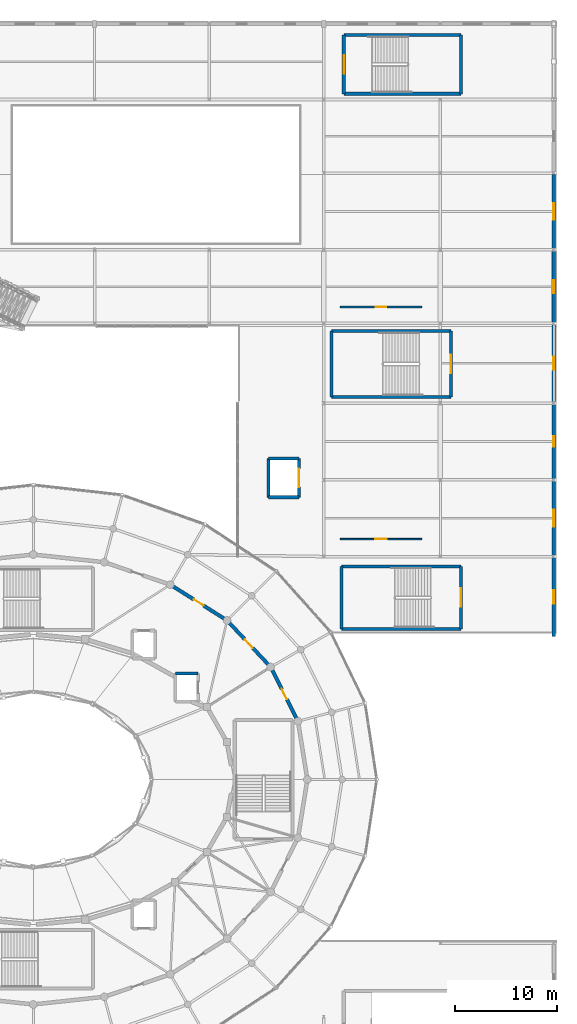
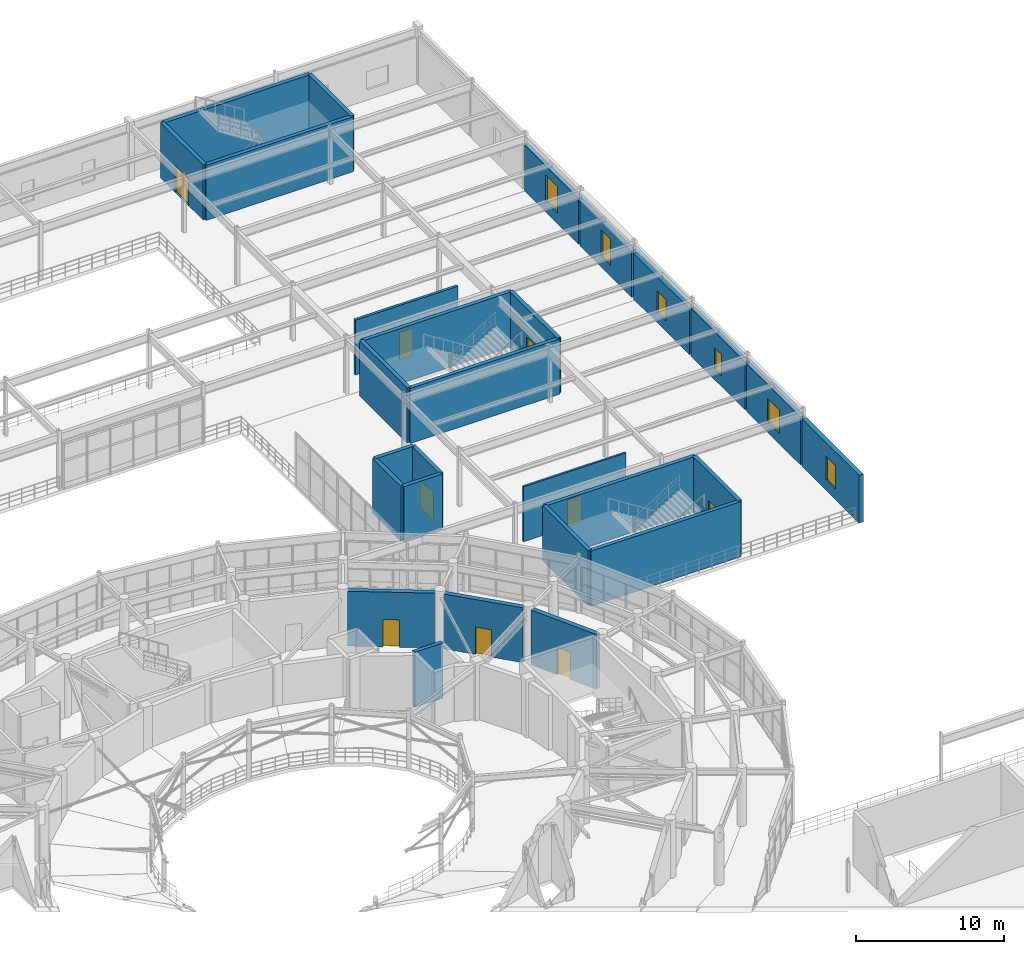
# One storey, part 112 of 144: 28 walls, 9 doors, 6 windows, 15 openings.
"""IFC4 building model written with IfcOpenShell, lengths in metres."""

import ifcopenshell
import ifcopenshell.guid

model = None  # the IFC model being written
_history = None  # IfcOwnerHistory: only IFC2X3 demands one
_inside = {}  # id of a spatial element -> (the spatial element, [elements in it])
_under = {}  # id of a project, library or spatial element -> (it, [spatial elements below it])
_declared = {}  # id of a project -> (the project, [libraries it declares])
_typed = {}  # id of a type object -> (the type object, [elements of that type])
_made_of = {}  # id of a material, layer set ... -> (it, [elements and type objects made of it])


def new_model(schema):
    """Start an empty IFC model of exactly this schema.

    Asked for "IFC4X3", IfcOpenShell would pick the latest addendum, in which some entities
    have other attributes; the version numbers below select the first issue.
    IFC2X3 requires an IfcOwnerHistory on every rooted entity: one is made here for all.
    """
    global model, _history
    if schema == "IFC4X3":
        model = ifcopenshell.file(schema_version=(4, 3, 0, 0))
    else:
        model = ifcopenshell.file(schema=schema)
    _inside.clear()
    _under.clear()
    _declared.clear()
    _typed.clear()
    _made_of.clear()
    _history = None
    if model.schema == "IFC2X3":
        org = make("IfcOrganization", Name="unknown")
        user = make(
            "IfcPersonAndOrganization",
            ThePerson=make("IfcPerson", FamilyName="unknown"),
            TheOrganization=org,
        )
        app = make(
            "IfcApplication",
            ApplicationDeveloper=org,
            Version="unknown",
            ApplicationFullName="unknown",
            ApplicationIdentifier="unknown",
        )
        _history = make(
            "IfcOwnerHistory",
            OwningUser=user,
            OwningApplication=app,
            ChangeAction="ADDED",
            CreationDate=0,
        )
    return model


def make(cls, **values):
    """One entity of the class cls with the attributes given. An attribute that is None is left unset."""
    return model.create_entity(
        cls, **{name: value for name, value in values.items() if value is not None}
    )


def rooted(cls, **values):
    """An entity with a GlobalId (a new one), such as an element, a storey or a relation."""
    return make(cls, GlobalId=ifcopenshell.guid.new(), OwnerHistory=_history, **values)


def si_unit(unit_type, name, prefix=None):
    """IfcSIUnit, for example si_unit("LENGTHUNIT", "METRE", prefix="MILLI")."""
    return make("IfcSIUnit", UnitType=unit_type, Prefix=prefix, Name=name)


def assignment(units):
    """IfcUnitAssignment: the units of a project."""
    return None if units is None else make("IfcUnitAssignment", Units=units)


def point(xyz):
    """IfcCartesianPoint."""
    return None if xyz is None else make("IfcCartesianPoint", Coordinates=xyz)


def direction(xyz):
    """IfcDirection."""
    return None if xyz is None else make("IfcDirection", DirectionRatios=xyz)


def frame(location, z_axis=None, x_axis=None):
    """IfcAxis2Placement3D, a coordinate frame: its origin and axes. An axis left out is left unset."""
    return make(
        "IfcAxis2Placement3D",
        Location=point(location),
        Axis=direction(z_axis),
        RefDirection=direction(x_axis),
    )


def frame_2d(location, x_axis=None):
    """IfcAxis2Placement2D, a coordinate frame in the plane: its origin and x axis."""
    return make(
        "IfcAxis2Placement2D", Location=point(location), RefDirection=direction(x_axis)
    )


def origin():
    """The frame at (0, 0, 0) with its axes left unset."""
    return frame((0.0, 0.0, 0.0))


def place(relative_to, where):
    """IfcLocalPlacement: puts the frame where relative to a parent placement (None: the world)."""
    return make(
        "IfcLocalPlacement", PlacementRelTo=relative_to, RelativePlacement=where
    )


def context(
    kind, dimensions, precision=None, world=None, true_north=None, identifier=None
):
    """IfcGeometricRepresentationContext, for example the 3D "Model" context."""
    return make(
        "IfcGeometricRepresentationContext",
        ContextIdentifier=identifier,
        ContextType=kind,
        CoordinateSpaceDimension=dimensions,
        Precision=precision,
        WorldCoordinateSystem=world,
        TrueNorth=true_north,
    )


def subcontext(parent, identifier, kind, view, scale=None):
    """IfcGeometricRepresentationSubContext, for example "Body" below "Model"."""
    return make(
        "IfcGeometricRepresentationSubContext",
        ContextIdentifier=identifier,
        ContextType=kind,
        ParentContext=parent,
        TargetScale=scale,
        TargetView=view,
    )


def project(units=None, contexts=None):
    """IfcProject with its units and contexts."""
    return rooted(
        "IfcProject",
        Name="project",
        RepresentationContexts=contexts,
        UnitsInContext=assignment(units),
    )


def spatial(cls, under=None, at=None, **own):
    """A site, building, storey or space (cls), placed at a placement, below another one or the project."""
    s = rooted(cls, ObjectPlacement=at, **own)
    if under is not None:
        _under.setdefault(under.id(), (under, []))[1].append(s)
    return s


def profile(cls, at=None, kind="AREA", **sizes):
    """A parametric profile (cls). Its sizes go by their IFC names, for example OverallWidth=200.0."""
    return make(cls, ProfileType=kind, Position=at, **sizes)


def rectangle(**sizes):
    """IfcRectangleProfileDef."""
    return profile("IfcRectangleProfileDef", **sizes)


def extrude(swept, where, along, depth):
    """IfcExtrudedAreaSolid: the profile swept, set in the frame where, extruded along a direction by depth."""
    return make(
        "IfcExtrudedAreaSolid",
        SweptArea=swept,
        Position=where,
        ExtrudedDirection=direction(along),
        Depth=depth,
    )


def shape(context_of_items, identifier, shape_type, items):
    """IfcShapeRepresentation: the items that make up one representation, for example the "Body"."""
    return make(
        "IfcShapeRepresentation",
        ContextOfItems=context_of_items,
        RepresentationIdentifier=identifier,
        RepresentationType=shape_type,
        Items=items,
    )


def material(Name=None, Category=None):
    """IfcMaterial."""
    return make("IfcMaterial", Name=Name, Category=Category)


def layer(
    of_material, thickness, ventilated=None, Name=None, Category=None, Priority=None
):
    """IfcMaterialLayer: one layer of a wall or slab, of a material (None: an air gap)."""
    return make(
        "IfcMaterialLayer",
        Material=of_material,
        LayerThickness=thickness,
        IsVentilated=ventilated,
        Name=Name,
        Category=Category,
        Priority=Priority,
    )


def layer_set(layers, Name=None):
    """IfcMaterialLayerSet."""
    return make("IfcMaterialLayerSet", MaterialLayers=layers, LayerSetName=Name)


def made_of(thing, what):
    """Note that an element or type object is made of a material, layer set ...; save() writes the relation."""
    if what is not None:
        _made_of.setdefault(what.id(), (what, []))[1].append(thing)
    return thing


def type_object(cls, material=None, **own):
    """A type object (cls), such as IfcWallType, which elements share."""
    return made_of(rooted(cls, **own), material)


def element(
    cls,
    number,
    at=None,
    inside=None,
    cuts=None,
    type_object=None,
    material=None,
    context=None,
    identifier="Body",
    shape_type=None,
    held_by="IfcProductDefinitionShape",
    body=None,
    shapes=None,
    **own,
):
    """One element of the class cls, such as IfcWall. Its Tag is "e" and its number.

    at: its placement. inside: the storey or other place that contains it. cuts: it is an
    opening in that element (IfcRelVoidsElement). A single representation is given by context,
    identifier, shape_type and body (its items); several are given by shapes. held_by: the class
    of the entity that holds the representations. save() writes the other relations.
    """
    e = rooted(cls, Tag="e%d" % number, ObjectPlacement=at, **own)
    if body is not None:
        shapes = [shape(context, identifier, shape_type, body)]
    if shapes is not None:
        e.Representation = make(held_by, Representations=shapes)
    if inside is not None:
        _inside.setdefault(inside.id(), (inside, []))[1].append(e)
    if cuts is not None:
        rooted(
            "IfcRelVoidsElement", RelatingBuildingElement=cuts, RelatedOpeningElement=e
        )
    if type_object is not None:
        _typed.setdefault(type_object.id(), (type_object, []))[1].append(e)
    return made_of(e, material)


def fill(opening, filler):
    """IfcRelFillsElement: the door or window that sits in an opening."""
    return rooted(
        "IfcRelFillsElement",
        RelatingOpeningElement=opening,
        RelatedBuildingElement=filler,
    )


def aggregate(whole, parts):
    """IfcRelAggregates: a whole, such as a stair, and the parts it consists of."""
    return rooted("IfcRelAggregates", RelatingObject=whole, RelatedObjects=parts)


def save(model, path):
    """Write the relations noted so far, then the file.

    IfcRelAggregates (storeys below a building ...), IfcRelContainedInSpatialStructure (elements
    in a storey), IfcRelDefinesByType, IfcRelAssociatesMaterial and IfcRelDeclares: one each for
    every whole, place, type object, material and project.
    """
    for whole, parts in _under.values():
        aggregate(whole, parts)
    for where, things in _inside.values():
        rooted(
            "IfcRelContainedInSpatialStructure",
            RelatedElements=things,
            RelatingStructure=where,
        )
    for kind, things in _typed.values():
        rooted("IfcRelDefinesByType", RelatedObjects=things, RelatingType=kind)
    for what, things in _made_of.values():
        rooted("IfcRelAssociatesMaterial", RelatedObjects=things, RelatingMaterial=what)
    for by, libraries in _declared.values():
        rooted("IfcRelDeclares", RelatingContext=by, RelatedDefinitions=libraries)
    model.write(path)


model = new_model("IFC4")

# Units and contexts
model_context = context("Model", 3, precision=1e-05, world=origin(), true_north=direction((0.0, 1.0)))
body_context = subcontext(model_context, "Body", "Model", "MODEL_VIEW")
ifc_project = project(units=[si_unit("LENGTHUNIT", "METRE"), si_unit("AREAUNIT", "SQUARE_METRE"), si_unit("VOLUMEUNIT", "CUBIC_METRE"), si_unit("PLANEANGLEUNIT", "RADIAN"), si_unit("MASSUNIT", "GRAM", prefix="KILO")], contexts=[model_context])

# Site, building, storey
site_placement = place(None, origin())
site = spatial("IfcSite", under=ifc_project, at=site_placement, CompositionType="ELEMENT")
building_placement = place(site_placement, origin())
building = spatial("IfcBuilding", under=site, at=building_placement, Name="Cinderbank Siding Concert Hall", CompositionType="ELEMENT")
storey_placement = place(building_placement, frame((0.0, 0.0, 5.39990234375)))
storey = spatial("IfcBuildingStorey", under=building, at=storey_placement, Name="L02", CompositionType="ELEMENT", Elevation=5.39990234375)

# Wall, opening, door
ifc_material_1 = material(Name="Reinforced concrete AS 3600 N50 (50 MPa)", Category="concrete")
ifc_layer_1 = layer(ifc_material_1, 0.35009765625)
ifc_layer_set_1 = layer_set([ifc_layer_1], Name="Reinforced concrete AS 3600 N50 (50 MPa)")
wall_type_1 = type_object("IfcWallType", Name="WL-02 Structural Wall 350mm", PredefinedType="SHEAR", material=ifc_layer_set_1)
wall_1_placement = place(storey_placement, frame((147.747314453125, 49.970703125, 0.0), z_axis=(0.0, 0.0, 1.0), x_axis=(-0.450512686904, 0.892770025784, 0.0)))
wall_1 = element("IfcWall", 1, at=wall_1_placement, inside=storey, type_object=wall_type_1, Name="L02 Structural Wall SW-E2-L02-02", PredefinedType="SHEAR", context=body_context, shape_type="SweptSolid", body=[
    extrude(rectangle(XDim=5.3232421875, YDim=0.35009765625, at=frame_2d((2.66162109375, 0.0))), origin(), (0.0, 0.0, 1.0), 4.52001953125),
])
opening_1_placement = place(wall_1_placement, frame((2.1015625, 0.0, 0.0)))
opening_1 = element("IfcOpeningElement", 2, at=opening_1_placement, cuts=wall_1, Name="Opening D-19", PredefinedType="OPENING", context=body_context, shape_type="SweptSolid", body=[
    extrude(rectangle(XDim=1.1201171875, YDim=2.260009765625, at=frame_2d((0.56005859375, 1.1298828125))), frame((0.0, 0.18701171875, 0.0), z_axis=(0.0, -1.0, 0.0), x_axis=(1.0, 0.0, 0.0)), (0.0, 0.0, 1.0), 0.3740234375),
])
ifc_material_2 = material(Name="Solid-core spotted gum acoustic timber", Category="wood")
door_type_1 = type_object("IfcDoorType", Name="D-19 Interior Door 1120x2260", OperationType="NOTDEFINED", PredefinedType="DOOR", material=ifc_material_2)
door_1_placement = place(opening_1_placement, origin())
door_1 = element("IfcDoor", 3, at=door_1_placement, inside=storey, type_object=door_type_1, Name="L02 Auditorium Sound-Lock Door L02-D132", OperationType="SINGLE_SWING_LEFT", OverallHeight=2.260009765625, OverallWidth=1.1201171875, PredefinedType="DOOR", context=body_context, shape_type="SweptSolid", body=[
    extrude(rectangle(XDim=1.1201171875, YDim=2.260009765625, at=frame_2d((0.56005859375, 1.1298828125))), frame((0.0, 0.02490234375, 0.0), z_axis=(0.0, -1.0, 0.0), x_axis=(1.0, 0.0, 0.0)), (0.0, 0.0, 1.0), 0.050048828125),
])
fill(opening_1, door_1)

wall_2_placement = place(storey_placement, frame((144.997802734375, 55.2265625, 0.0), z_axis=(0.0, 0.0, 1.0), x_axis=(-0.682886399388, 0.730524582427, 0.0)))
wall_2 = element("IfcWall", 4, at=wall_2_placement, inside=storey, type_object=wall_type_1, Name="L02 Structural Wall SW-E2-L02-03", PredefinedType="SHEAR", context=body_context, shape_type="SweptSolid", body=[
    extrude(rectangle(XDim=5.616943359375, YDim=0.35009765625, at=frame_2d((2.80859375, 0.0))), origin(), (0.0, 0.0, 1.0), 4.52001953125),
])
opening_2_placement = place(wall_2_placement, frame((2.248291015625, 0.0, 0.0)))
opening_2 = element("IfcOpeningElement", 5, at=opening_2_placement, cuts=wall_2, Name="Opening D-19", PredefinedType="OPENING", context=body_context, shape_type="SweptSolid", body=[
    extrude(rectangle(XDim=1.1201171875, YDim=2.260009765625, at=frame_2d((0.56005859375, 1.1298828125))), frame((0.0, 0.18701171875, 0.0), z_axis=(0.0, -1.0, 0.0), x_axis=(1.0, 0.0, 0.0)), (0.0, 0.0, 1.0), 0.3740234375),
])
door_2_placement = place(opening_2_placement, origin())
door_2 = element("IfcDoor", 6, at=door_2_placement, inside=storey, type_object=door_type_1, Name="L02 Auditorium Sound-Lock Door L02-D133", OperationType="SINGLE_SWING_RIGHT", OverallHeight=2.260009765625, OverallWidth=1.1201171875, PredefinedType="DOOR", context=body_context, shape_type="SweptSolid", body=[
    extrude(rectangle(XDim=1.1201171875, YDim=2.260009765625, at=frame_2d((0.56005859375, 1.1298828125))), frame((0.0, 0.02490234375, 0.0), z_axis=(0.0, -1.0, 0.0), x_axis=(1.0, 0.0, 0.0)), (0.0, 0.0, 1.0), 0.050048828125),
])
fill(opening_2, door_2)

wall_3_placement = place(storey_placement, frame((140.688232421875, 59.721435546875, 0.0), z_axis=(0.0, 0.0, 1.0), x_axis=(-0.846113390603, 0.53300293643, 0.0)))
wall_3 = element("IfcWall", 7, at=wall_3_placement, inside=storey, type_object=wall_type_1, Name="L02 Structural Wall SW-E2-L02-04", PredefinedType="SHEAR", context=body_context, shape_type="SweptSolid", body=[
    extrude(rectangle(XDim=5.93994140625, YDim=0.35009765625, at=frame_2d((2.969970703125, 0.0))), origin(), (0.0, 0.0, 1.0), 4.52001953125),
])
opening_3_placement = place(wall_3_placement, frame((2.409912109375, 0.0, 0.0)))
opening_3 = element("IfcOpeningElement", 8, at=opening_3_placement, cuts=wall_3, Name="Opening D-19", PredefinedType="OPENING", context=body_context, shape_type="SweptSolid", body=[
    extrude(rectangle(XDim=1.1201171875, YDim=2.260009765625, at=frame_2d((0.56005859375, 1.1298828125))), frame((0.0, 0.18701171875, 0.0), z_axis=(0.0, -1.0, 0.0), x_axis=(1.0, 0.0, 0.0)), (0.0, 0.0, 1.0), 0.3740234375),
])
door_3_placement = place(opening_3_placement, origin())
door_3 = element("IfcDoor", 9, at=door_3_placement, inside=storey, type_object=door_type_1, Name="L02 Auditorium Sound-Lock Door L02-D134", OperationType="SINGLE_SWING_LEFT", OverallHeight=2.260009765625, OverallWidth=1.1201171875, PredefinedType="DOOR", context=body_context, shape_type="SweptSolid", body=[
    extrude(rectangle(XDim=1.1201171875, YDim=2.260009765625, at=frame_2d((0.56005859375, 1.1298828125))), frame((0.0, 0.02490234375, 0.0), z_axis=(0.0, -1.0, 0.0), x_axis=(1.0, 0.0, 0.0)), (0.0, 0.0, 1.0), 0.050048828125),
])
fill(opening_3, door_3)

ifc_layer_2 = layer(ifc_material_1, 0.300048828125)
ifc_layer_set_2 = layer_set([ifc_layer_2], Name="Reinforced concrete AS 3600 N50 (50 MPa)")
wall_type_2 = type_object("IfcWallType", Name="WL-03 Structural Wall 300mm", PredefinedType="SHEAR", material=ifc_layer_set_2)
wall_4_placement = place(storey_placement, frame((152.360107421875, 111.06005859375, 0.0), z_axis=(0.0, 0.0, 1.0), x_axis=(0.0, 1.0, 0.0)))
wall_4 = element("IfcWall", 10, at=wall_4_placement, inside=storey, type_object=wall_type_2, Name="L02 ST-07 Core Wall ENTRY", PredefinedType="SHEAR", context=body_context, shape_type="SweptSolid", body=[
    extrude(rectangle(XDim=5.739990234375, YDim=0.300048828125, at=frame_2d((2.8701171875, 0.0))), origin(), (0.0, 0.0, 1.0), 4.5400390625),
])
opening_4_placement = place(wall_4_placement, frame((1.969970703125, 0.0, 0.0)))
opening_4 = element("IfcOpeningElement", 11, at=opening_4_placement, cuts=wall_4, Name="Opening D-05", PredefinedType="OPENING", context=body_context, shape_type="SweptSolid", body=[
    extrude(rectangle(XDim=1.800048828125, YDim=2.199951171875, at=frame_2d((0.89990234375, 1.10009765625))), frame((0.0, 0.162109375, 0.0), z_axis=(0.0, -1.0, 0.0), x_axis=(1.0, 0.0, 0.0)), (0.0, 0.0, 1.0), 0.323974609375),
])
ifc_material_3 = material(Name="Galvanised sheet steel acoustic fire door assembly", Category="steel")
door_type_2 = type_object("IfcDoorType", Name="D-05 Interior Door 1800x2200", OperationType="DOUBLE_DOOR_SINGLE_SWING", PredefinedType="DOOR", material=ifc_material_3)
door_4_placement = place(opening_4_placement, origin())
door_4 = element("IfcDoor", 12, at=door_4_placement, inside=storey, type_object=door_type_2, Name="L02 ST-07 Fire Stair Door L02-D041", OperationType="DOUBLE_DOOR_SINGLE_SWING", OverallHeight=2.199951171875, OverallWidth=1.800048828125, PredefinedType="DOOR", context=body_context, shape_type="SweptSolid", body=[
    extrude(rectangle(XDim=1.800048828125, YDim=2.199951171875, at=frame_2d((0.89990234375, 1.10009765625))), frame((0.0, 0.02490234375, 0.0), z_axis=(0.0, -1.0, 0.0), x_axis=(1.0, 0.0, 0.0)), (0.0, 0.0, 1.0), 0.050048828125),
])
fill(opening_4, door_4)

# Walls
wall_5_placement = place(storey_placement, frame((163.840087890625, 116.800048828125, 0.0), z_axis=(0.0, 0.0, 1.0), x_axis=(0.0, -1.0, 0.0)))
element("IfcWall", 13, at=wall_5_placement, inside=storey, type_object=wall_type_2, Name="L02 ST-07 Core Wall FAR", PredefinedType="SHEAR", context=body_context, shape_type="SweptSolid", body=[
    extrude(rectangle(XDim=5.739990234375, YDim=0.300048828125, at=frame_2d((2.8701171875, 0.0))), origin(), (0.0, 0.0, 1.0), 4.5400390625),
])
for number, where, z_axis, x_axis, name in (
    (14, (163.840087890625, 111.06005859375, 0.0), (0.0, 0.0, 1.0), (-1.0, 0.0, 0.0), "L02 ST-07 Core Wall SIDE1"),
    (15, (152.360107421875, 116.800048828125, 0.0), (0.0, 0.0, 1.0), (1.0, 0.0, 0.0), "L02 ST-07 Core Wall SIDE2"),
):
    element("IfcWall", number, at=place(storey_placement, frame(where, z_axis=z_axis, x_axis=x_axis)), inside=storey, type_object=wall_type_2, Name=name, PredefinedType="SHEAR", context=body_context, shape_type="SweptSolid", body=[
        extrude(rectangle(XDim=11.47998046875, YDim=0.300048828125, at=frame_2d((5.739990234375, 0.0))), origin(), (0.0, 0.0, 1.0), 4.5400390625),
    ])

# Wall, opening, door
wall_6_placement = place(storey_placement, frame((162.840087890625, 87.85009765625, 0.0), z_axis=(0.0, 0.0, 1.0), x_axis=(0.0, -1.0, 0.0)))
wall_6 = element("IfcWall", 16, at=wall_6_placement, inside=storey, type_object=wall_type_2, Name="L02 ST-11 Core Wall ENTRY", PredefinedType="SHEAR", context=body_context, shape_type="SweptSolid", body=[
    extrude(rectangle(XDim=6.440185546875, YDim=0.300048828125, at=frame_2d((3.22021484375, 0.0))), origin(), (0.0, 0.0, 1.0), 4.550048828125),
])
opening_5_placement = place(wall_6_placement, frame((2.320068359375, 0.0, 0.0)))
opening_5 = element("IfcOpeningElement", 17, at=opening_5_placement, cuts=wall_6, Name="Opening D-05", PredefinedType="OPENING", context=body_context, shape_type="SweptSolid", body=[
    extrude(rectangle(XDim=1.800048828125, YDim=2.199951171875, at=frame_2d((0.89990234375, 1.10009765625))), frame((0.0, 0.162109375, 0.0), z_axis=(0.0, -1.0, 0.0), x_axis=(1.0, 0.0, 0.0)), (0.0, 0.0, 1.0), 0.323974609375),
])
door_5_placement = place(opening_5_placement, origin())
door_5 = element("IfcDoor", 18, at=door_5_placement, inside=storey, type_object=door_type_2, Name="L02 ST-11 Fire Stair Door L02-D056", OperationType="DOUBLE_DOOR_SINGLE_SWING", OverallHeight=2.199951171875, OverallWidth=1.800048828125, PredefinedType="DOOR", context=body_context, shape_type="SweptSolid", body=[
    extrude(rectangle(XDim=1.800048828125, YDim=2.199951171875, at=frame_2d((0.89990234375, 1.10009765625))), frame((0.0, 0.02490234375, 0.0), z_axis=(0.0, -1.0, 0.0), x_axis=(1.0, 0.0, 0.0)), (0.0, 0.0, 1.0), 0.050048828125),
])
fill(opening_5, door_5)

# Walls
wall_7_placement = place(storey_placement, frame((151.159912109375, 81.409912109375, 0.0), z_axis=(0.0, 0.0, 1.0), x_axis=(0.0, 1.0, 0.0)))
element("IfcWall", 19, at=wall_7_placement, inside=storey, type_object=wall_type_2, Name="L02 ST-11 Core Wall FAR", PredefinedType="SHEAR", context=body_context, shape_type="SweptSolid", body=[
    extrude(rectangle(XDim=6.440185546875, YDim=0.300048828125, at=frame_2d((3.22021484375, 0.0))), origin(), (0.0, 0.0, 1.0), 4.550048828125),
])
for number, where, z_axis, x_axis, name in (
    (20, (151.159912109375, 87.85009765625, 0.0), (0.0, 0.0, 1.0), (1.0, 0.0, 0.0), "L02 ST-11 Core Wall SIDE1"),
    (21, (162.840087890625, 81.409912109375, 0.0), (0.0, 0.0, 1.0), (-1.0, 0.0, 0.0), "L02 ST-11 Core Wall SIDE2"),
):
    element("IfcWall", number, at=place(storey_placement, frame(where, z_axis=z_axis, x_axis=x_axis)), inside=storey, type_object=wall_type_2, Name=name, PredefinedType="SHEAR", context=body_context, shape_type="SweptSolid", body=[
        extrude(rectangle(XDim=11.68017578125, YDim=0.300048828125, at=frame_2d((5.840087890625, 0.0))), origin(), (0.0, 0.0, 1.0), 4.550048828125),
    ])

# Wall, opening, door
wall_8_placement = place(storey_placement, frame((163.840087890625, 64.85009765625, 0.0), z_axis=(0.0, 0.0, 1.0), x_axis=(0.0, -1.0, 0.0)))
wall_8 = element("IfcWall", 22, at=wall_8_placement, inside=storey, type_object=wall_type_2, Name="L02 ST-12 Core Wall ENTRY", PredefinedType="SHEAR", context=body_context, shape_type="SweptSolid", body=[
    extrude(rectangle(XDim=6.14013671875, YDim=0.300048828125, at=frame_2d((3.070068359375, 0.0))), origin(), (0.0, 0.0, 1.0), 4.550048828125),
])
opening_6_placement = place(wall_8_placement, frame((2.169921875, 0.0, 0.0)))
opening_6 = element("IfcOpeningElement", 23, at=opening_6_placement, cuts=wall_8, Name="Opening D-05", PredefinedType="OPENING", context=body_context, shape_type="SweptSolid", body=[
    extrude(rectangle(XDim=1.800048828125, YDim=2.199951171875, at=frame_2d((0.89990234375, 1.10009765625))), frame((0.0, 0.162109375, 0.0), z_axis=(0.0, -1.0, 0.0), x_axis=(1.0, 0.0, 0.0)), (0.0, 0.0, 1.0), 0.323974609375),
])
door_6_placement = place(opening_6_placement, origin())
door_6 = element("IfcDoor", 24, at=door_6_placement, inside=storey, type_object=door_type_2, Name="L02 ST-12 Fire Stair Door L02-D060", OperationType="DOUBLE_DOOR_SINGLE_SWING", OverallHeight=2.199951171875, OverallWidth=1.800048828125, PredefinedType="DOOR", context=body_context, shape_type="SweptSolid", body=[
    extrude(rectangle(XDim=1.800048828125, YDim=2.199951171875, at=frame_2d((0.89990234375, 1.10009765625))), frame((0.0, 0.02490234375, 0.0), z_axis=(0.0, -1.0, 0.0), x_axis=(1.0, 0.0, 0.0)), (0.0, 0.0, 1.0), 0.050048828125),
])
fill(opening_6, door_6)

# Walls
wall_9_placement = place(storey_placement, frame((152.159912109375, 58.7099609375, 0.0), z_axis=(0.0, 0.0, 1.0), x_axis=(0.0, 1.0, 0.0)))
element("IfcWall", 25, at=wall_9_placement, inside=storey, type_object=wall_type_2, Name="L02 ST-12 Core Wall FAR", PredefinedType="SHEAR", context=body_context, shape_type="SweptSolid", body=[
    extrude(rectangle(XDim=6.14013671875, YDim=0.300048828125, at=frame_2d((3.070068359375, 0.0))), origin(), (0.0, 0.0, 1.0), 4.550048828125),
])
for number, where, z_axis, x_axis, name in (
    (26, (152.159912109375, 64.85009765625, 0.0), (0.0, 0.0, 1.0), (1.0, 0.0, 0.0), "L02 ST-12 Core Wall SIDE1"),
    (27, (163.840087890625, 58.7099609375, 0.0), (0.0, 0.0, 1.0), (-1.0, 0.0, 0.0), "L02 ST-12 Core Wall SIDE2"),
):
    element("IfcWall", number, at=place(storey_placement, frame(where, z_axis=z_axis, x_axis=x_axis)), inside=storey, type_object=wall_type_2, Name=name, PredefinedType="SHEAR", context=body_context, shape_type="SweptSolid", body=[
        extrude(rectangle(XDim=11.68017578125, YDim=0.300048828125, at=frame_2d((5.840087890625, 0.0))), origin(), (0.0, 0.0, 1.0), 4.550048828125),
    ])
wall_10_placement = place(storey_placement, frame((135.89990234375, 54.35009765625, 0.0), z_axis=(0.0, 0.0, 1.0), x_axis=(1.0, 0.0, 0.0)))
element("IfcWall", 28, at=wall_10_placement, inside=storey, type_object=wall_type_2, Name="L02 LF-03 Shaft Wall +Y", PredefinedType="SHEAR", context=body_context, shape_type="SweptSolid", body=[
    extrude(rectangle(XDim=2.2001953125, YDim=0.300048828125, at=frame_2d((1.10009765625, 0.0))), origin(), (0.0, 0.0, 1.0), 4.550048828125),
])
wall_11_placement = place(storey_placement, frame((148.0, 71.60009765625, 0.0), z_axis=(0.0, 0.0, 1.0), x_axis=(-1.0, 0.0, 0.0)))
element("IfcWall", 29, at=wall_11_placement, inside=storey, type_object=wall_type_2, Name="L02 LF-08 Shaft Wall -Y", PredefinedType="SHEAR", context=body_context, shape_type="SweptSolid", body=[
    extrude(rectangle(XDim=3.0, YDim=0.300048828125, at=frame_2d((1.5, 0.0))), origin(), (0.0, 0.0, 1.0), 4.550048828125),
])

# Wall, opening, door
wall_12_placement = place(storey_placement, frame((148.0, 75.39990234375, 0.0), z_axis=(0.0, 0.0, 1.0), x_axis=(0.0, -1.0, 0.0)))
wall_12 = element("IfcWall", 30, at=wall_12_placement, inside=storey, type_object=wall_type_2, Name="L02 LF-08 Shaft Wall +X", PredefinedType="SHEAR", context=body_context, shape_type="SweptSolid", body=[
    extrude(rectangle(XDim=3.7998046875, YDim=0.300048828125, at=frame_2d((1.89990234375, 0.0))), origin(), (0.0, 0.0, 1.0), 4.550048828125),
])
opening_7_placement = place(wall_12_placement, frame((1.0, 0.0, 0.0)))
opening_7 = element("IfcOpeningElement", 31, at=opening_7_placement, cuts=wall_12, Name="Opening LD-03", PredefinedType="OPENING", context=body_context, shape_type="SweptSolid", body=[
    extrude(rectangle(XDim=1.800048828125, YDim=2.300048828125, at=frame_2d((0.89990234375, 1.14990234375))), frame((0.0, 0.162109375, 0.0), z_axis=(0.0, -1.0, 0.0), x_axis=(1.0, 0.0, 0.0)), (0.0, 0.0, 1.0), 0.323974609375),
])
door_type_3 = type_object("IfcDoorType", Name="LD-03 Interior Door 1800x2300", OperationType="DOUBLE_DOOR_SLIDING", PredefinedType="DOOR", material=ifc_material_3)
door_7_placement = place(opening_7_placement, origin())
door_7 = element("IfcDoor", 32, at=door_7_placement, inside=storey, type_object=door_type_3, Name="L02 LF-08 Sliding Landing Door", OperationType="DOUBLE_DOOR_SLIDING", OverallHeight=2.300048828125, OverallWidth=1.800048828125, PredefinedType="DOOR", context=body_context, shape_type="SweptSolid", body=[
    extrude(rectangle(XDim=1.800048828125, YDim=2.300048828125, at=frame_2d((0.89990234375, 1.14990234375))), frame((0.0, 0.02490234375, 0.0), z_axis=(0.0, -1.0, 0.0), x_axis=(1.0, 0.0, 0.0)), (0.0, 0.0, 1.0), 0.050048828125),
])
fill(opening_7, door_7)

# Walls
wall_13_placement = place(storey_placement, frame((145.0, 75.39990234375, 0.0), z_axis=(0.0, 0.0, 1.0), x_axis=(1.0, 0.0, 0.0)))
element("IfcWall", 33, at=wall_13_placement, inside=storey, type_object=wall_type_2, Name="L02 LF-08 Shaft Wall +Y", PredefinedType="SHEAR", context=body_context, shape_type="SweptSolid", body=[
    extrude(rectangle(XDim=3.0, YDim=0.300048828125, at=frame_2d((1.5, 0.0))), origin(), (0.0, 0.0, 1.0), 4.550048828125),
])
wall_14_placement = place(storey_placement, frame((145.0, 71.60009765625, 0.0), z_axis=(0.0, 0.0, 1.0), x_axis=(0.0, 1.0, 0.0)))
element("IfcWall", 34, at=wall_14_placement, inside=storey, type_object=wall_type_2, Name="L02 LF-08 Shaft Wall -X", PredefinedType="SHEAR", context=body_context, shape_type="SweptSolid", body=[
    extrude(rectangle(XDim=3.7998046875, YDim=0.300048828125, at=frame_2d((1.89990234375, 0.0))), origin(), (0.0, 0.0, 1.0), 4.550048828125),
])

# Wall, opening, window
ifc_material_4 = material(Name="Clinker clay brickwork masonry AS 3700 (20 MPa)", Category="masonry")
ifc_layer_3 = layer(ifc_material_4, 0.340087890625)
ifc_layer_set_3 = layer_set([ifc_layer_3], Name="Clinker clay brickwork masonry AS 3700 (20 MPa)")
wall_type_3 = type_object("IfcWallType", Name="WL-07 Exterior Wall 340mm", PredefinedType="STANDARD", material=ifc_layer_set_3)
wall_15_placement = place(storey_placement, frame((172.89990234375, 95.68701171875, 0.0), z_axis=(0.0, 0.0, 1.0), x_axis=(0.0, -1.0, 0.0)))
wall_15 = element("IfcWall", 35, at=wall_15_placement, inside=storey, type_object=wall_type_3, Name="L02 Facade Wall EW-V3-E1-L02", PredefinedType="STANDARD", context=body_context, shape_type="SweptSolid", body=[
    extrude(rectangle(XDim=6.97412109375, YDim=0.340087890625, at=frame_2d((3.487060546875, 0.0))), origin(), (0.0, 0.0, 1.0), 3.777099609375),
])
opening_8_placement = place(wall_15_placement, frame((2.862060546875, 0.0, 0.85009765625)))
opening_8 = element("IfcOpeningElement", 36, at=opening_8_placement, cuts=wall_15, Name="Opening WN-05", PredefinedType="OPENING", context=body_context, shape_type="SweptSolid", body=[
    extrude(rectangle(XDim=1.25, YDim=2.199951171875, at=frame_2d((0.625, 1.10009765625))), frame((0.0, 0.18212890625, 0.0), z_axis=(0.0, -1.0, 0.0), x_axis=(1.0, 0.0, 0.0)), (0.0, 0.0, 1.0), 0.364013671875),
])
ifc_material_5 = material(Name="Double-glazed laminated acoustic glass", Category="glass")
window_type_1 = type_object("IfcWindowType", Name="WN-05 Acoustic Casement Window 1250x2200", PartitioningType="DOUBLE_PANEL_VERTICAL", PredefinedType="WINDOW", material=ifc_material_5)
window_1_placement = place(opening_8_placement, origin())
window_1 = element("IfcWindow", 37, at=window_1_placement, inside=storey, type_object=window_type_1, Name="L02 Facade Window #173", OverallHeight=2.199951171875, OverallWidth=1.25, PartitioningType="DOUBLE_PANEL_VERTICAL", PredefinedType="WINDOW", context=body_context, shape_type="SweptSolid", body=[
    extrude(rectangle(XDim=1.25, YDim=2.199951171875, at=frame_2d((0.625, 1.10009765625))), frame((0.0, 0.030029296875, 0.0), z_axis=(0.0, -1.0, 0.0), x_axis=(1.0, 0.0, 0.0)), (0.0, 0.0, 1.0), 0.06005859375),
])
fill(opening_8, window_1)

wall_16_placement = place(storey_placement, frame((172.89990234375, 103.18701171875, 0.0), z_axis=(0.0, 0.0, 1.0), x_axis=(0.0, -1.0, 0.0)))
wall_16 = element("IfcWall", 38, at=wall_16_placement, inside=storey, type_object=wall_type_3, Name="L02 Facade Wall EW-V3-E2-L02", PredefinedType="STANDARD", context=body_context, shape_type="SweptSolid", body=[
    extrude(rectangle(XDim=7.27392578125, YDim=0.340087890625, at=frame_2d((3.636962890625, 0.0))), origin(), (0.0, 0.0, 1.0), 3.777099609375),
])
opening_9_placement = place(wall_16_placement, frame((2.8369140625, 0.0, 0.85009765625)))
opening_9 = element("IfcOpeningElement", 39, at=opening_9_placement, cuts=wall_16, Name="Opening WN-07", PredefinedType="OPENING", context=body_context, shape_type="SweptSolid", body=[
    extrude(rectangle(XDim=1.60009765625, YDim=2.199951171875, at=frame_2d((0.800048828125, 1.10009765625))), frame((0.0, 0.18212890625, 0.0), z_axis=(0.0, -1.0, 0.0), x_axis=(1.0, 0.0, 0.0)), (0.0, 0.0, 1.0), 0.364013671875),
])
window_type_2 = type_object("IfcWindowType", Name="WN-07 Acoustic Casement Window 1600x2200", PartitioningType="DOUBLE_PANEL_VERTICAL", PredefinedType="WINDOW", material=ifc_material_5)
window_2_placement = place(opening_9_placement, origin())
window_2 = element("IfcWindow", 40, at=window_2_placement, inside=storey, type_object=window_type_2, Name="L02 Facade Window #175", OverallHeight=2.199951171875, OverallWidth=1.60009765625, PartitioningType="DOUBLE_PANEL_VERTICAL", PredefinedType="WINDOW", context=body_context, shape_type="SweptSolid", body=[
    extrude(rectangle(XDim=1.60009765625, YDim=2.199951171875, at=frame_2d((0.800048828125, 1.10009765625))), frame((0.0, 0.030029296875, 0.0), z_axis=(0.0, -1.0, 0.0), x_axis=(1.0, 0.0, 0.0)), (0.0, 0.0, 1.0), 0.06005859375),
])
fill(opening_9, window_2)

wall_17_placement = place(storey_placement, frame((172.89990234375, 65.68798828125, 0.0), z_axis=(0.0, 0.0, 1.0), x_axis=(0.0, -1.0, 0.0)))
wall_17 = element("IfcWall", 41, at=wall_17_placement, inside=storey, type_object=wall_type_3, Name="L02 Facade Wall EW-EL-E0-L02", PredefinedType="STANDARD", context=body_context, shape_type="SweptSolid", body=[
    extrude(rectangle(XDim=7.68798828125, YDim=0.340087890625, at=frame_2d((3.843994140625, 0.0))), origin(), (0.0, 0.0, 1.0), 3.934814453125),
])
opening_10_placement = place(wall_17_placement, frame((3.194091796875, 0.0, 0.85009765625)))
opening_10 = element("IfcOpeningElement", 42, at=opening_10_placement, cuts=wall_17, Name="Opening WN-13", PredefinedType="OPENING", context=body_context, shape_type="SweptSolid", body=[
    extrude(rectangle(XDim=1.300048828125, YDim=1.949951171875, at=frame_2d((0.64990234375, 0.97509765625))), frame((0.0, 0.18212890625, 0.0), z_axis=(0.0, -1.0, 0.0), x_axis=(1.0, 0.0, 0.0)), (0.0, 0.0, 1.0), 0.364013671875),
])
window_type_3 = type_object("IfcWindowType", Name="WN-13 Acoustic Casement Window 1300x1950", PartitioningType="DOUBLE_PANEL_VERTICAL", PredefinedType="WINDOW", material=ifc_material_5)
window_3_placement = place(opening_10_placement, origin())
window_3 = element("IfcWindow", 43, at=window_3_placement, inside=storey, type_object=window_type_3, Name="L02 Facade Window #181", OverallHeight=1.949951171875, OverallWidth=1.300048828125, PartitioningType="DOUBLE_PANEL_VERTICAL", PredefinedType="WINDOW", context=body_context, shape_type="SweptSolid", body=[
    extrude(rectangle(XDim=1.300048828125, YDim=1.949951171875, at=frame_2d((0.64990234375, 0.97509765625))), frame((0.0, 0.030029296875, 0.0), z_axis=(0.0, -1.0, 0.0), x_axis=(1.0, 0.0, 0.0)), (0.0, 0.0, 1.0), 0.06005859375),
])
fill(opening_10, window_3)

wall_18_placement = place(storey_placement, frame((172.89990234375, 73.18798828125, 0.0), z_axis=(0.0, 0.0, 1.0), x_axis=(0.0, -1.0, 0.0)))
wall_18 = element("IfcWall", 44, at=wall_18_placement, inside=storey, type_object=wall_type_3, Name="L02 Facade Wall EW-EL-E1-L02", PredefinedType="STANDARD", context=body_context, shape_type="SweptSolid", body=[
    extrude(rectangle(XDim=7.27587890625, YDim=0.340087890625, at=frame_2d((3.637939453125, 0.0))), origin(), (0.0, 0.0, 1.0), 3.934814453125),
])
opening_11_placement = place(wall_18_placement, frame((2.81298828125, 0.0, 0.85009765625)))
opening_11 = element("IfcOpeningElement", 45, at=opening_11_placement, cuts=wall_18, Name="Opening WN-15", PredefinedType="OPENING", context=body_context, shape_type="SweptSolid", body=[
    extrude(rectangle(XDim=1.64990234375, YDim=1.949951171875, at=frame_2d((0.824951171875, 0.97509765625))), frame((0.0, 0.18212890625, 0.0), z_axis=(0.0, -1.0, 0.0), x_axis=(1.0, 0.0, 0.0)), (0.0, 0.0, 1.0), 0.364013671875),
])
window_type_4 = type_object("IfcWindowType", Name="WN-15 Acoustic Casement Window 1650x1950", PartitioningType="DOUBLE_PANEL_VERTICAL", PredefinedType="WINDOW", material=ifc_material_5)
window_4_placement = place(opening_11_placement, origin())
window_4 = element("IfcWindow", 46, at=window_4_placement, inside=storey, type_object=window_type_4, Name="L02 Facade Window #183", OverallHeight=1.949951171875, OverallWidth=1.64990234375, PartitioningType="DOUBLE_PANEL_VERTICAL", PredefinedType="WINDOW", context=body_context, shape_type="SweptSolid", body=[
    extrude(rectangle(XDim=1.64990234375, YDim=1.949951171875, at=frame_2d((0.824951171875, 0.97509765625))), frame((0.0, 0.030029296875, 0.0), z_axis=(0.0, -1.0, 0.0), x_axis=(1.0, 0.0, 0.0)), (0.0, 0.0, 1.0), 0.06005859375),
])
fill(opening_11, window_4)

wall_19_placement = place(storey_placement, frame((172.89990234375, 80.68798828125, 0.0), z_axis=(0.0, 0.0, 1.0), x_axis=(0.0, -1.0, 0.0)))
wall_19 = element("IfcWall", 47, at=wall_19_placement, inside=storey, type_object=wall_type_3, Name="L02 Facade Wall EW-EL-E2-L02", PredefinedType="STANDARD", context=body_context, shape_type="SweptSolid", body=[
    extrude(rectangle(XDim=7.27587890625, YDim=0.340087890625, at=frame_2d((3.637939453125, 0.0))), origin(), (0.0, 0.0, 1.0), 3.934814453125),
])
opening_12_placement = place(wall_19_placement, frame((3.137939453125, 0.0, 0.85009765625)))
opening_12 = element("IfcOpeningElement", 48, at=opening_12_placement, cuts=wall_19, Name="Opening WN-18", PredefinedType="OPENING", context=body_context, shape_type="SweptSolid", body=[
    extrude(rectangle(XDim=1.0, YDim=1.75, at=frame_2d((0.5, 0.875))), frame((0.0, 0.18212890625, 0.0), z_axis=(0.0, -1.0, 0.0), x_axis=(1.0, 0.0, 0.0)), (0.0, 0.0, 1.0), 0.364013671875),
])
window_type_5 = type_object("IfcWindowType", Name="WN-18 Acoustic Casement Window 1000x1750", PartitioningType="DOUBLE_PANEL_VERTICAL", PredefinedType="WINDOW", material=ifc_material_5)
window_5_placement = place(opening_12_placement, origin())
window_5 = element("IfcWindow", 49, at=window_5_placement, inside=storey, type_object=window_type_5, Name="L02 Facade Window #186", OverallHeight=1.75, OverallWidth=1.0, PartitioningType="DOUBLE_PANEL_VERTICAL", PredefinedType="WINDOW", context=body_context, shape_type="SweptSolid", body=[
    extrude(rectangle(XDim=1.0, YDim=1.75, at=frame_2d((0.5, 0.875))), frame((0.0, 0.030029296875, 0.0), z_axis=(0.0, -1.0, 0.0), x_axis=(1.0, 0.0, 0.0)), (0.0, 0.0, 1.0), 0.06005859375),
])
fill(opening_12, window_5)

wall_20_placement = place(storey_placement, frame((172.89990234375, 88.487060546875, 0.0), z_axis=(0.0, 0.0, 1.0), x_axis=(0.0, -1.0, 0.0)))
wall_20 = element("IfcWall", 50, at=wall_20_placement, inside=storey, type_object=wall_type_3, Name="L02 Facade Wall EW-EL-E3-L02", PredefinedType="STANDARD", context=body_context, shape_type="SweptSolid", body=[
    extrude(rectangle(XDim=7.574951171875, YDim=0.340087890625, at=frame_2d((3.78759765625, 0.0))), origin(), (0.0, 0.0, 1.0), 3.777099609375),
])
opening_13_placement = place(wall_20_placement, frame((3.16748046875, 0.0, 0.85009765625)))
opening_13 = element("IfcOpeningElement", 51, at=opening_13_placement, cuts=wall_20, Name="Opening WN-20", PredefinedType="OPENING", context=body_context, shape_type="SweptSolid", body=[
    extrude(rectangle(XDim=1.239990234375, YDim=1.75, at=frame_2d((0.6201171875, 0.875))), frame((0.0, 0.18212890625, 0.0), z_axis=(0.0, -1.0, 0.0), x_axis=(1.0, 0.0, 0.0)), (0.0, 0.0, 1.0), 0.364013671875),
])
window_type_6 = type_object("IfcWindowType", Name="WN-20 Acoustic Casement Window 1240x1750", PartitioningType="DOUBLE_PANEL_VERTICAL", PredefinedType="WINDOW", material=ifc_material_5)
window_6_placement = place(opening_13_placement, origin())
window_6 = element("IfcWindow", 52, at=window_6_placement, inside=storey, type_object=window_type_6, Name="L02 Facade Window #188", OverallHeight=1.75, OverallWidth=1.239990234375, PartitioningType="DOUBLE_PANEL_VERTICAL", PredefinedType="WINDOW", context=body_context, shape_type="SweptSolid", body=[
    extrude(rectangle(XDim=1.239990234375, YDim=1.75, at=frame_2d((0.6201171875, 0.875))), frame((0.0, 0.030029296875, 0.0), z_axis=(0.0, -1.0, 0.0), x_axis=(1.0, 0.0, 0.0)), (0.0, 0.0, 1.0), 0.06005859375),
])
fill(opening_13, window_6)

# Wall, opening, door
ifc_material_6 = material(Name="Acoustic plasterboard on light-gauge steel studs", Category="gypsum")
ifc_layer_4 = layer(ifc_material_6, 0.199951171875)
ifc_layer_set_4 = layer_set([ifc_layer_4], Name="Acoustic plasterboard on light-gauge steel studs")
wall_type_4 = type_object("IfcWallType", Name="WL-12 Interior Wall 200mm", PredefinedType="PARTITIONING", material=ifc_layer_set_4)
wall_21_placement = place(storey_placement, frame((152.0, 90.199951171875, 0.0), z_axis=(0.0, 0.0, 1.0), x_axis=(1.0, 0.0, 0.0)))
wall_21 = element("IfcWall", 53, at=wall_21_placement, inside=storey, type_object=wall_type_4, Name="L02 Partition Orchestral Mixing Gallery", PredefinedType="PARTITIONING", context=body_context, shape_type="SweptSolid", body=[
    extrude(rectangle(XDim=8.0, YDim=0.199951171875, at=frame_2d((4.0, 0.0))), origin(), (0.0, 0.0, 1.0), 4.525146484375),
])
opening_14_placement = place(wall_21_placement, frame((3.469970703125, 0.0, 0.0)))
opening_14 = element("IfcOpeningElement", 54, at=opening_14_placement, cuts=wall_21, Name="Opening D-18", PredefinedType="OPENING", context=body_context, shape_type="SweptSolid", body=[
    extrude(rectangle(XDim=1.06005859375, YDim=2.239990234375, at=frame_2d((0.530029296875, 1.1201171875))), frame((0.0, 0.11181640625, 0.0), z_axis=(0.0, -1.0, 0.0), x_axis=(1.0, 0.0, 0.0)), (0.0, 0.0, 1.0), 0.223876953125),
])
door_type_4 = type_object("IfcDoorType", Name="D-18 Interior Door 1060x2240", OperationType="NOTDEFINED", PredefinedType="DOOR", material=ifc_material_2)
door_8_placement = place(opening_14_placement, origin())
door_8 = element("IfcDoor", 55, at=door_8_placement, inside=storey, type_object=door_type_4, Name="L02 Orchestral Mixing Gallery Door L02-D264", OperationType="SINGLE_SWING_RIGHT", OverallHeight=2.239990234375, OverallWidth=1.06005859375, PredefinedType="DOOR", context=body_context, shape_type="SweptSolid", body=[
    extrude(rectangle(XDim=1.06005859375, YDim=2.239990234375, at=frame_2d((0.530029296875, 1.1201171875))), frame((0.0, 0.02490234375, 0.0), z_axis=(0.0, -1.0, 0.0), x_axis=(1.0, 0.0, 0.0)), (0.0, 0.0, 1.0), 0.050048828125),
])
fill(opening_14, door_8)

ifc_layer_5 = layer(ifc_material_6, 0.14990234375)
ifc_layer_set_5 = layer_set([ifc_layer_5], Name="Acoustic plasterboard on light-gauge steel studs")
wall_type_5 = type_object("IfcWallType", Name="WL-15 Interior Wall 150mm", PredefinedType="PARTITIONING", material=ifc_layer_set_5)
wall_22_placement = place(storey_placement, frame((152.0, 67.5, 0.0), z_axis=(0.0, 0.0, 1.0), x_axis=(1.0, 0.0, 0.0)))
wall_22 = element("IfcWall", 56, at=wall_22_placement, inside=storey, type_object=wall_type_5, Name="L02 Partition East Dressing Suites", PredefinedType="PARTITIONING", context=body_context, shape_type="SweptSolid", body=[
    extrude(rectangle(XDim=8.0, YDim=0.14990234375, at=frame_2d((4.0, 0.0))), origin(), (0.0, 0.0, 1.0), 4.53515625),
])
opening_15_placement = place(wall_22_placement, frame((3.449951171875, 0.0, 0.0)))
opening_15 = element("IfcOpeningElement", 57, at=opening_15_placement, cuts=wall_22, Name="Opening D-04", PredefinedType="OPENING", context=body_context, shape_type="SweptSolid", body=[
    extrude(rectangle(XDim=1.10009765625, YDim=2.199951171875, at=frame_2d((0.550048828125, 1.10009765625))), frame((0.0, 0.0869140625, 0.0), z_axis=(0.0, -1.0, 0.0), x_axis=(1.0, 0.0, 0.0)), (0.0, 0.0, 1.0), 0.173828125),
])
door_type_5 = type_object("IfcDoorType", Name="D-04 Interior Door 1100x2200", OperationType="NOTDEFINED", PredefinedType="DOOR", material=ifc_material_2)
door_9_placement = place(opening_15_placement, origin())
door_9 = element("IfcDoor", 58, at=door_9_placement, inside=storey, type_object=door_type_5, Name="L02 East Dressing Suites Door L02-D265", OperationType="SINGLE_SWING_LEFT", OverallHeight=2.199951171875, OverallWidth=1.10009765625, PredefinedType="DOOR", context=body_context, shape_type="SweptSolid", body=[
    extrude(rectangle(XDim=1.10009765625, YDim=2.199951171875, at=frame_2d((0.550048828125, 1.10009765625))), frame((0.0, 0.02490234375, 0.0), z_axis=(0.0, -1.0, 0.0), x_axis=(1.0, 0.0, 0.0)), (0.0, 0.0, 1.0), 0.050048828125),
])
fill(opening_15, door_9)

save(model, "model.ifc")
